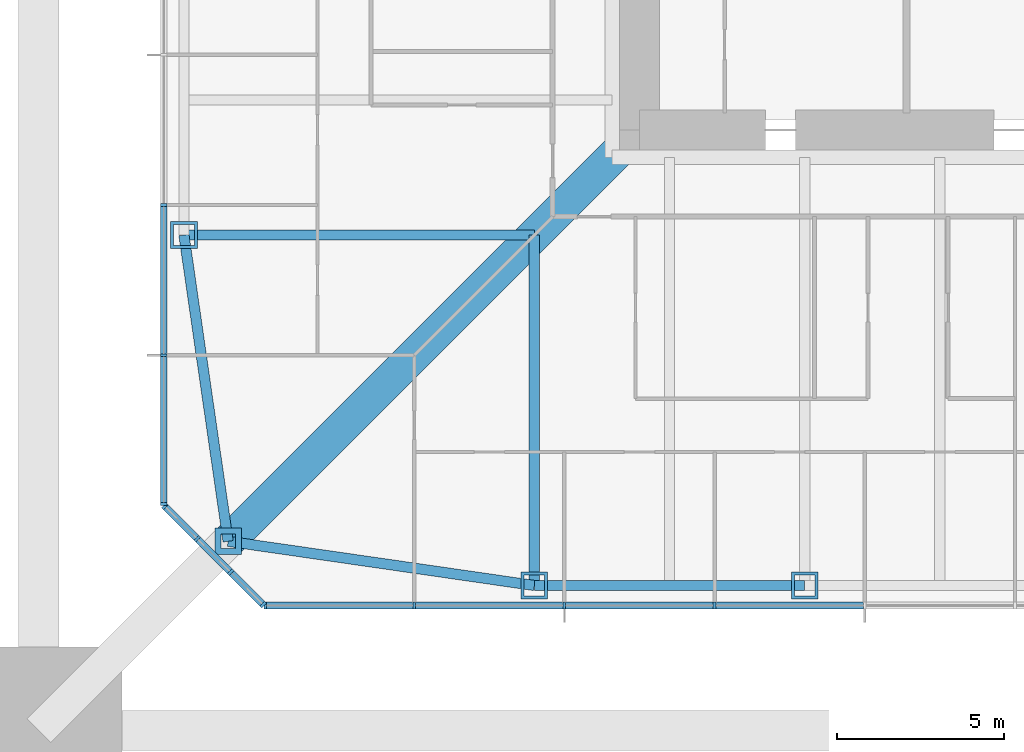
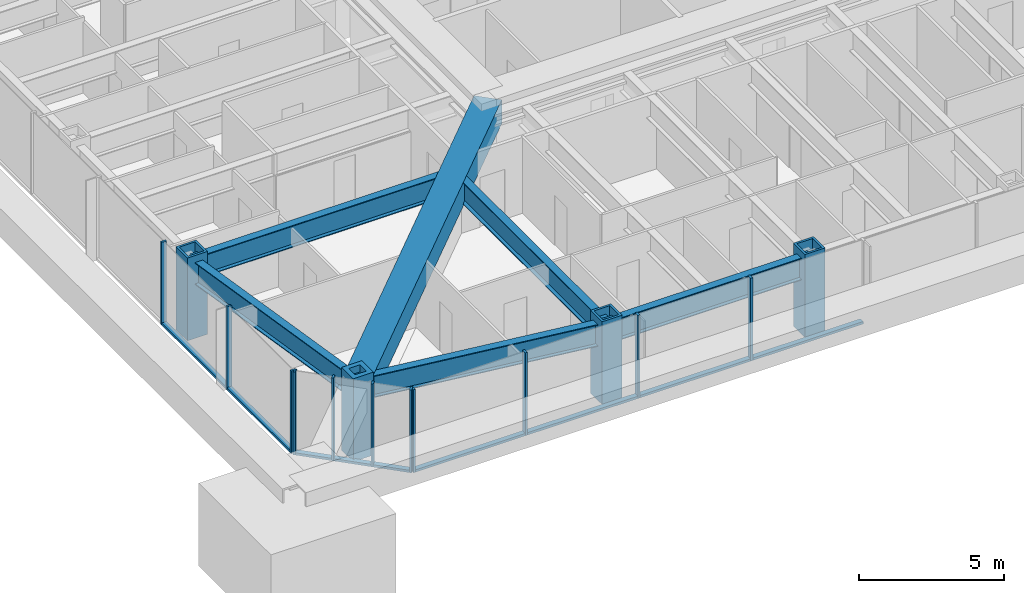
# One storey, part 2 of 32: 25 members, 5 beams, 3 elements without a shape of their own.
"""IFC4 building model written with IfcOpenShell, lengths in metres."""

from ifc_helpers import new_model, si_unit, direction, frame, origin, origin_2d, place, context, subcontext, project, spatial, rectangle, hollow_rectangle, i_section, extrude, material, material_profile, profile_set, type_object, element, aggregate, save


model = new_model("IFC4")

# Units and contexts
model_context = context("Model", 3, precision=1e-05, world=origin(), true_north=direction((0.0, 1.0)))
body_context = subcontext(model_context, "Body", "Model", "MODEL_VIEW")
ifc_project = project(units=[si_unit("LENGTHUNIT", "METRE"), si_unit("AREAUNIT", "SQUARE_METRE"), si_unit("VOLUMEUNIT", "CUBIC_METRE"), si_unit("PLANEANGLEUNIT", "RADIAN"), si_unit("MASSUNIT", "GRAM", prefix="KILO")], contexts=[model_context])

# Site, building, storey
site_placement = place(None, origin())
site = spatial("IfcSite", under=ifc_project, at=site_placement, CompositionType="ELEMENT")
building_placement = place(site_placement, origin())
building = spatial("IfcBuilding", under=site, at=building_placement, Name="Iwan Alto Co-Living Towers", CompositionType="ELEMENT")
storey_placement = place(building_placement, frame((0.0, 0.0, 71.0)))
storey = spatial("IfcBuildingStorey", under=building, at=storey_placement, Name="L19", CompositionType="ELEMENT", Elevation=71.0)

# Curtain wall, members
ifc_material_1 = material(Name="Bronze aluminium unitised frame", Category="aluminium")
curtain_wall_type_1 = type_object("IfcCurtainWallType", Name="CURTAIN WALL CW-A", PredefinedType="NOTDEFINED", material=ifc_material_1)
curtain_wall_1_placement = place(storey_placement, origin())
curtain_wall_1 = element("IfcCurtainWall", 1, at=curtain_wall_1_placement, inside=storey, type_object=curtain_wall_type_1, Name="T1 curtain wall S L19", PredefinedType="NOTDEFINED")
ifc_material_2 = material(Name="Aluminium 6063-T6 bronze anodised", Category="aluminium")
ifc_material_profile_1 = material_profile(ifc_material_2, rectangle(XDim=0.199951171875, YDim=0.080078125, at=origin_2d()), Name="AL 80X200")
ifc_profile_set_1 = profile_set([ifc_material_profile_1], Name="Aluminium 6063-T6 bronze anodised")
member_type_1 = type_object("IfcMemberType", Name="CW-A MULLION 80X200", PredefinedType="MULLION", material=ifc_profile_set_1)
member_1_placement = place(storey_placement, frame((-20.2099609375, -23.25, 0.0), z_axis=(0.0, 0.0, 1.0), x_axis=(0.0, 1.0, 0.0)))
member_1 = element("IfcMember", 2, at=member_1_placement, type_object=member_type_1, Name="CW-A mullion 1", PredefinedType="MULLION", context=body_context, shape_type="SweptSolid", body=[
    extrude(rectangle(XDim=0.199951171875, YDim=0.080078125, at=origin_2d()), origin(), (0.0, 0.0, 1.0), 3.5),
])
member_2_placement = place(storey_placement, frame((-15.75, -23.25, 0.0), z_axis=(0.0, 0.0, 1.0), x_axis=(0.0, 1.0, 0.0)))
member_2 = element("IfcMember", 3, at=member_2_placement, type_object=member_type_1, Name="CW-A mullion 2", PredefinedType="MULLION", context=body_context, shape_type="SweptSolid", body=[
    extrude(rectangle(XDim=0.199951171875, YDim=0.080078125, at=origin_2d()), origin(), (0.0, 0.0, 1.0), 3.5),
])
member_3_placement = place(storey_placement, frame((-11.25, -23.25, 0.0), z_axis=(0.0, 0.0, 1.0), x_axis=(0.0, 1.0, 0.0)))
member_3 = element("IfcMember", 4, at=member_3_placement, type_object=member_type_1, Name="CW-A mullion 3", PredefinedType="MULLION", context=body_context, shape_type="SweptSolid", body=[
    extrude(rectangle(XDim=0.199951171875, YDim=0.080078125, at=origin_2d()), origin(), (0.0, 0.0, 1.0), 3.5),
])
member_4_placement = place(storey_placement, frame((-6.75, -23.25, 0.0), z_axis=(0.0, 0.0, 1.0), x_axis=(0.0, 1.0, 0.0)))
member_4 = element("IfcMember", 5, at=member_4_placement, type_object=member_type_1, Name="CW-A mullion 4", PredefinedType="MULLION", context=body_context, shape_type="SweptSolid", body=[
    extrude(rectangle(XDim=0.199951171875, YDim=0.080078125, at=origin_2d()), origin(), (0.0, 0.0, 1.0), 3.5),
])

curtain_wall_2_placement = place(storey_placement, origin())
curtain_wall_2 = element("IfcCurtainWall", 6, at=curtain_wall_2_placement, inside=storey, type_object=curtain_wall_type_1, Name="T1 curtain wall W L19", PredefinedType="NOTDEFINED")
member_5_placement = place(storey_placement, frame((-23.25, -11.25, 0.0), z_axis=(0.0, 0.0, 1.0), x_axis=(1.0, 0.0, 0.0)))
member_5 = element("IfcMember", 7, at=member_5_placement, type_object=member_type_1, Name="CW-A mullion 8", PredefinedType="MULLION", context=body_context, shape_type="SweptSolid", body=[
    extrude(rectangle(XDim=0.199951171875, YDim=0.080078125, at=origin_2d()), origin(), (0.0, 0.0, 1.0), 3.5),
])
member_6_placement = place(storey_placement, frame((-23.25, -15.75, 0.0), z_axis=(0.0, 0.0, 1.0), x_axis=(1.0, 0.0, 0.0)))
member_6 = element("IfcMember", 8, at=member_6_placement, type_object=member_type_1, Name="CW-A mullion 9", PredefinedType="MULLION", context=body_context, shape_type="SweptSolid", body=[
    extrude(rectangle(XDim=0.199951171875, YDim=0.080078125, at=origin_2d()), origin(), (0.0, 0.0, 1.0), 3.5),
])
member_7_placement = place(storey_placement, frame((-23.25, -20.2099609375, 0.0), z_axis=(0.0, 0.0, 1.0), x_axis=(1.0, 0.0, 0.0)))
member_7 = element("IfcMember", 9, at=member_7_placement, type_object=member_type_1, Name="CW-A mullion 10", PredefinedType="MULLION", context=body_context, shape_type="SweptSolid", body=[
    extrude(rectangle(XDim=0.199951171875, YDim=0.080078125, at=origin_2d()), origin(), (0.0, 0.0, 1.0), 3.5),
])

# Member
ifc_material_3 = material(Name="Aluminium 6063-T6 bronze anodised", Category="aluminium")
ifc_material_profile_2 = material_profile(ifc_material_3, rectangle(XDim=0.199951171875, YDim=0.10009765625, at=origin_2d()), Name="AL 200X100")
ifc_profile_set_2 = profile_set([ifc_material_profile_2], Name="Aluminium 6063-T6 bronze anodised")
member_type_2 = type_object("IfcMemberType", Name="CW-A TRANSOM 200X100", PredefinedType="USERDEFINED", material=ifc_profile_set_2)
member_8_placement = place(storey_placement, frame((-20.169921875, -23.25, 0.050048828125), z_axis=(1.0, 0.0, 0.0), x_axis=(0.0, 1.0, 0.0)))
member_8 = element("IfcMember", 10, at=member_8_placement, type_object=member_type_2, Name="CW-A transom 1.1", ObjectType="TRANSOM", PredefinedType="USERDEFINED", context=body_context, shape_type="SweptSolid", body=[
    extrude(rectangle(XDim=0.199951171875, YDim=0.10009765625, at=origin_2d()), origin(), (0.0, 0.0, 1.0), 4.3798828125),
])

member_9_placement = place(storey_placement, frame((-15.7099609375, -23.25, 0.050048828125), z_axis=(1.0, 0.0, 0.0), x_axis=(0.0, 1.0, 0.0)))
member_9 = element("IfcMember", 11, at=member_9_placement, type_object=member_type_2, Name="CW-A transom 2.1", ObjectType="TRANSOM", PredefinedType="USERDEFINED", context=body_context, shape_type="SweptSolid", body=[
    extrude(rectangle(XDim=0.199951171875, YDim=0.10009765625, at=origin_2d()), origin(), (0.0, 0.0, 1.0), 4.419921875),
])

member_10_placement = place(storey_placement, frame((-11.2099609375, -23.25, 0.050048828125), z_axis=(1.0, 0.0, 0.0), x_axis=(0.0, 1.0, 0.0)))
member_10 = element("IfcMember", 12, at=member_10_placement, type_object=member_type_2, Name="CW-A transom 3.1", ObjectType="TRANSOM", PredefinedType="USERDEFINED", context=body_context, shape_type="SweptSolid", body=[
    extrude(rectangle(XDim=0.199951171875, YDim=0.10009765625, at=origin_2d()), origin(), (0.0, 0.0, 1.0), 4.419921875),
])

member_11_placement = place(storey_placement, frame((-6.7099609375, -23.25, 0.050048828125), z_axis=(1.0, 0.0, 0.0), x_axis=(0.0, 1.0, 0.0)))
member_11 = element("IfcMember", 13, at=member_11_placement, type_object=member_type_2, Name="CW-A transom 4.1", ObjectType="TRANSOM", PredefinedType="USERDEFINED", context=body_context, shape_type="SweptSolid", body=[
    extrude(rectangle(XDim=0.199951171875, YDim=0.10009765625, at=origin_2d()), origin(), (0.0, 0.0, 1.0), 4.419921875),
])

aggregate(curtain_wall_1, [member_1, member_2, member_3, member_4, member_8, member_9, member_10, member_11])

member_12_placement = place(storey_placement, frame((-23.25, -11.2900390625, 0.050048828125), z_axis=(0.0, -1.0, 0.0), x_axis=(1.0, 0.0, 0.0)))
member_12 = element("IfcMember", 14, at=member_12_placement, type_object=member_type_2, Name="CW-A transom 8.1", ObjectType="TRANSOM", PredefinedType="USERDEFINED", context=body_context, shape_type="SweptSolid", body=[
    extrude(rectangle(XDim=0.199951171875, YDim=0.10009765625, at=origin_2d()), origin(), (0.0, 0.0, 1.0), 4.419921875),
])

member_13_placement = place(storey_placement, frame((-23.25, -15.7900390625, 0.050048828125), z_axis=(0.0, -1.0, 0.0), x_axis=(1.0, 0.0, 0.0)))
member_13 = element("IfcMember", 15, at=member_13_placement, type_object=member_type_2, Name="CW-A transom 9.1", ObjectType="TRANSOM", PredefinedType="USERDEFINED", context=body_context, shape_type="SweptSolid", body=[
    extrude(rectangle(XDim=0.199951171875, YDim=0.10009765625, at=origin_2d()), origin(), (0.0, 0.0, 1.0), 4.3798828125),
])

aggregate(curtain_wall_2, [member_5, member_6, member_7, member_12, member_13])

# Curtain wall, members
ifc_material_4 = material(Name="Bronze aluminium unitised frame", Category="aluminium")
curtain_wall_type_2 = type_object("IfcCurtainWallType", Name="CURTAIN WALL CW-B", PredefinedType="NOTDEFINED", material=ifc_material_4)
curtain_wall_3_placement = place(storey_placement, origin())
curtain_wall_3 = element("IfcCurtainWall", 16, at=curtain_wall_3_placement, inside=storey, type_object=curtain_wall_type_2, Name="T1 chamfer curtain wall SW L19", PredefinedType="NOTDEFINED")
ifc_material_5 = material(Name="Aluminium 6063-T6 bronze anodised", Category="aluminium")
ifc_material_profile_3 = material_profile(ifc_material_5, rectangle(XDim=0.199951171875, YDim=0.080078125, at=origin_2d()), Name="AL 80X200")
ifc_profile_set_3 = profile_set([ifc_material_profile_3], Name="Aluminium 6063-T6 bronze anodised")
member_type_3 = type_object("IfcMemberType", Name="CW-B MULLION 80X200", PredefinedType="MULLION", material=ifc_profile_set_3)
member_14_placement = place(storey_placement, frame((-23.2216796875, -20.2783203125, 0.0), z_axis=(0.0, 0.0, 1.0), x_axis=(0.707106781187, 0.707106781187, 0.0)))
member_14 = element("IfcMember", 17, at=member_14_placement, type_object=member_type_3, Name="CW-B mullion 1", PredefinedType="MULLION", context=body_context, shape_type="SweptSolid", body=[
    extrude(rectangle(XDim=0.199951171875, YDim=0.080078125, at=origin_2d()), origin(), (0.0, 0.0, 1.0), 3.5),
])
member_15_placement = place(storey_placement, frame((-22.25, -21.25, 0.0), z_axis=(0.0, 0.0, 1.0), x_axis=(0.707106781187, 0.707106781187, 0.0)))
member_15 = element("IfcMember", 18, at=member_15_placement, type_object=member_type_3, Name="CW-B mullion 2", PredefinedType="MULLION", context=body_context, shape_type="SweptSolid", body=[
    extrude(rectangle(XDim=0.199951171875, YDim=0.080078125, at=origin_2d()), origin(), (0.0, 0.0, 1.0), 3.5),
])
member_16_placement = place(storey_placement, frame((-21.25, -22.25, 0.0), z_axis=(0.0, 0.0, 1.0), x_axis=(0.707106781187, 0.707106781187, 0.0)))
member_16 = element("IfcMember", 19, at=member_16_placement, type_object=member_type_3, Name="CW-B mullion 3", PredefinedType="MULLION", context=body_context, shape_type="SweptSolid", body=[
    extrude(rectangle(XDim=0.199951171875, YDim=0.080078125, at=origin_2d()), origin(), (0.0, 0.0, 1.0), 3.5),
])
member_17_placement = place(storey_placement, frame((-20.2783203125, -23.2216796875, 0.0), z_axis=(0.0, 0.0, 1.0), x_axis=(0.707106781187, 0.707106781187, 0.0)))
member_17 = element("IfcMember", 20, at=member_17_placement, type_object=member_type_3, Name="CW-B mullion 4", PredefinedType="MULLION", context=body_context, shape_type="SweptSolid", body=[
    extrude(rectangle(XDim=0.199951171875, YDim=0.080078125, at=origin_2d()), origin(), (0.0, 0.0, 1.0), 3.5),
])
ifc_material_6 = material(Name="Aluminium 6063-T6 bronze anodised", Category="aluminium")
ifc_material_profile_4 = material_profile(ifc_material_6, rectangle(XDim=0.199951171875, YDim=0.10009765625, at=origin_2d()), Name="AL 200X100")
ifc_profile_set_4 = profile_set([ifc_material_profile_4], Name="Aluminium 6063-T6 bronze anodised")
member_type_4 = type_object("IfcMemberType", Name="CW-B TRANSOM 200X100", PredefinedType="USERDEFINED", material=ifc_profile_set_4)
member_18_placement = place(storey_placement, frame((-23.193359375, -20.306640625, 0.050048828125), z_axis=(0.707106781187, -0.707106781187, 0.0), x_axis=(0.707106781187, 0.707106781187, 0.0)))
member_18 = element("IfcMember", 21, at=member_18_placement, type_object=member_type_4, Name="CW-B transom 1.1", ObjectType="TRANSOM", PredefinedType="USERDEFINED", context=body_context, shape_type="SweptSolid", body=[
    extrude(rectangle(XDim=0.199951171875, YDim=0.10009765625, at=origin_2d()), origin(), (0.0, 0.0, 1.0), 1.2939453125),
])
member_19_placement = place(storey_placement, frame((-22.2216796875, -21.2783203125, 0.050048828125), z_axis=(0.707106781187, -0.707106781187, 0.0), x_axis=(0.707106781187, 0.707106781187, 0.0)))
member_19 = element("IfcMember", 22, at=member_19_placement, type_object=member_type_4, Name="CW-B transom 2.1", ObjectType="TRANSOM", PredefinedType="USERDEFINED", context=body_context, shape_type="SweptSolid", body=[
    extrude(rectangle(XDim=0.199951171875, YDim=0.10009765625, at=origin_2d()), origin(), (0.0, 0.0, 1.0), 1.334228515625),
])
member_20_placement = place(storey_placement, frame((-21.2216796875, -22.2783203125, 0.050048828125), z_axis=(0.707106781187, -0.707106781187, 0.0), x_axis=(0.707106781187, 0.707106781187, 0.0)))
member_20 = element("IfcMember", 23, at=member_20_placement, type_object=member_type_4, Name="CW-B transom 3.1", ObjectType="TRANSOM", PredefinedType="USERDEFINED", context=body_context, shape_type="SweptSolid", body=[
    extrude(rectangle(XDim=0.199951171875, YDim=0.10009765625, at=origin_2d()), origin(), (0.0, 0.0, 1.0), 1.2939453125),
])
aggregate(curtain_wall_3, [member_14, member_15, member_16, member_17, member_18, member_19, member_20])

# Beams
ifc_material_7 = material(Name="Steel ASTM A992 Gr 50", Category="steel")
ifc_material_profile_5 = material_profile(ifc_material_7, i_section(OverallWidth=0.307373046875, OverallDepth=0.927001953125, WebThickness=0.01953125, FlangeThickness=0.031982421875, at=origin_2d()), Name="W36X194")
ifc_profile_set_5 = profile_set([ifc_material_profile_5], Name="Steel ASTM A992 Gr 50")
beam_type_1 = type_object("IfcBeamType", Name="T1 BELT TRUSS CHORD W36X194", PredefinedType="BEAM", material=ifc_profile_set_5)
beam_1_placement = place(storey_placement, frame((-21.32568359375, -21.32568359375, 2.736328125), z_axis=(0.989746234347, -0.142836940589, 0.0), x_axis=(0.142836940589, 0.989746234347, 0.0)))
element("IfcBeam", 24, at=beam_1_placement, inside=storey, type_object=beam_type_1, Name="T1 edge beam CSW L20", PredefinedType="BEAM", context=body_context, shape_type="SweptSolid", body=[
    extrude(i_section(OverallWidth=0.307373046875, OverallDepth=0.927001953125, WebThickness=0.01953125, FlangeThickness=0.031982421875, at=origin_2d()), origin(), (0.0, 0.0, 1.0), 9.270751953125),
])
beam_2_placement = place(storey_placement, frame((-12.14990234375, -22.64990234375, 2.736328125), z_axis=(1.0, 0.0, 0.0), x_axis=(0.0, 1.0, 0.0)))
element("IfcBeam", 25, at=beam_2_placement, inside=storey, type_object=beam_type_1, Name="T1 edge beam S1 L20", PredefinedType="BEAM", context=body_context, shape_type="SweptSolid", body=[
    extrude(i_section(OverallWidth=0.307373046875, OverallDepth=0.927001953125, WebThickness=0.01953125, FlangeThickness=0.031982421875, at=origin_2d()), origin(), (0.0, 0.0, 1.0), 8.099853515625),
])
beam_3_placement = place(storey_placement, frame((-22.64990234375, -12.14990234375, 2.736328125), z_axis=(0.142836940589, -0.989746234347, 0.0), x_axis=(0.989746234347, 0.142836940589, 0.0)))
element("IfcBeam", 26, at=beam_3_placement, inside=storey, type_object=beam_type_1, Name="T1 edge beam W4 L20", PredefinedType="BEAM", context=body_context, shape_type="SweptSolid", body=[
    extrude(i_section(OverallWidth=0.307373046875, OverallDepth=0.927001953125, WebThickness=0.01953125, FlangeThickness=0.031982421875, at=origin_2d()), origin(), (0.0, 0.0, 1.0), 9.270751953125),
])

# Members
ifc_material_8 = material(Name="Steel ASTM A36", Category="steel")
ifc_material_profile_6 = material_profile(ifc_material_8, hollow_rectangle(XDim=0.800048828125, YDim=0.800048828125, WallThickness=0.179931640625, at=origin_2d()), Name="BOX 800X800X180")
ifc_profile_set_6 = profile_set([ifc_material_profile_6], Name="Steel ASTM A36")
member_type_5 = type_object("IfcMemberType", Name="T1 HEAVY RING POST AT STEP BOX 800X800X180", PredefinedType="MEMBER", material=ifc_profile_set_6)
member_21_placement = place(storey_placement, frame((-21.32568359375, -21.32568359375, 0.0), z_axis=(0.0, 0.0, 1.0), x_axis=(1.0, 0.0, 0.0)))
element("IfcMember", 27, at=member_21_placement, inside=storey, type_object=member_type_5, Name="T1 ring post at step CSW L19", PredefinedType="MEMBER", context=body_context, shape_type="SweptSolid", body=[
    extrude(hollow_rectangle(XDim=0.800048828125, YDim=0.800048828125, WallThickness=0.179931640625, at=origin_2d()), origin(), (0.0, 0.0, 1.0), 3.5),
])
ifc_material_9 = material(Name="Steel ASTM A572 Gr 50", Category="steel")
ifc_material_profile_7 = material_profile(ifc_material_9, hollow_rectangle(XDim=1.0, YDim=1.0, WallThickness=0.070068359375, at=origin_2d()), Name="BOX 1000X1000X70")
ifc_profile_set_7 = profile_set([ifc_material_profile_7], Name="Steel ASTM A572 Gr 50")
member_type_6 = type_object("IfcMemberType", Name="T1 OUTRIGGER CHORD BOX 1000X1000X70", PredefinedType="CHORD", material=ifc_profile_set_7)
member_22_placement = place(storey_placement, frame((-9.0, -9.0, 2.699951171875), z_axis=(-0.707106781187, -0.707106781187, 0.0), x_axis=(0.707106781187, -0.707106781187, 0.0)))
element("IfcMember", 28, at=member_22_placement, inside=storey, type_object=member_type_6, Name="T1 outrigger SW L20 bottom chord 1", PredefinedType="CHORD", context=body_context, shape_type="SweptSolid", body=[
    extrude(hollow_rectangle(XDim=1.0, YDim=1.0, WallThickness=0.070068359375, at=origin_2d()), origin(), (0.0, 0.0, 1.0), 17.43115234375),
])

# Beams
ifc_material_10 = material(Name="Steel ASTM A992 Gr 50", Category="steel")
ifc_material_profile_8 = material_profile(ifc_material_10, i_section(OverallWidth=0.307373046875, OverallDepth=0.927001953125, WebThickness=0.01953125, FlangeThickness=0.031982421875, at=origin_2d()), Name="W36X194")
ifc_profile_set_8 = profile_set([ifc_material_profile_8], Name="Steel ASTM A992 Gr 50")
beam_type_2 = type_object("IfcBeamType", Name="T1 RADIAL BEAM W36X194", PredefinedType="BEAM", material=ifc_profile_set_8)
for number, where, z_axis, x_axis, name in (
    (29, (-12.14990234375, -22.64990234375, 2.736328125), (0.0, 1.0, 0.0), (-1.0, 0.0, 0.0), "T1 radial beam S1 L20"),
    (30, (-22.64990234375, -12.14990234375, 2.736328125), (1.0, 0.0, 0.0), (0.0, 1.0, 0.0), "T1 radial beam W4 L20"),
):
    element("IfcBeam", number, at=place(storey_placement, frame(where, z_axis=z_axis, x_axis=x_axis)), inside=storey, type_object=beam_type_2, Name=name, PredefinedType="BEAM", context=body_context, shape_type="SweptSolid", body=[
        extrude(i_section(OverallWidth=0.307373046875, OverallDepth=0.927001953125, WebThickness=0.01953125, FlangeThickness=0.031982421875, at=origin_2d()), origin(), (0.0, 0.0, 1.0), 10.5),
    ])

# Members
ifc_material_11 = material(Name="Steel ASTM A572 Gr 50", Category="steel")
ifc_material_profile_9 = material_profile(ifc_material_11, hollow_rectangle(XDim=0.800048828125, YDim=0.800048828125, WallThickness=0.090087890625, at=origin_2d()), Name="BOX 800X800X90")
ifc_profile_set_9 = profile_set([ifc_material_profile_9], Name="Steel ASTM A572 Gr 50")
member_type_7 = type_object("IfcMemberType", Name="T1 RING POST AT STEP BOX 800X800X90", PredefinedType="MEMBER", material=ifc_profile_set_9)
for number, where, z_axis, x_axis, name in (
    (31, (-12.14990234375, -22.64990234375, 0.0), (0.0, 0.0, 1.0), (1.0, 0.0, 0.0), "T1 ring post at step S1 L19"),
    (32, (-4.050048828125, -22.64990234375, 0.0), (0.0, 0.0, 1.0), (1.0, 0.0, 0.0), "T1 ring post at step S2 L19"),
    (33, (-22.64990234375, -12.14990234375, 0.0), (0.0, 0.0, 1.0), (1.0, 0.0, 0.0), "T1 ring post at step W4 L19"),
):
    element("IfcMember", number, at=place(storey_placement, frame(where, z_axis=z_axis, x_axis=x_axis)), inside=storey, type_object=member_type_7, Name=name, PredefinedType="MEMBER", context=body_context, shape_type="SweptSolid", body=[
        extrude(hollow_rectangle(XDim=0.800048828125, YDim=0.800048828125, WallThickness=0.090087890625, at=origin_2d()), origin(), (0.0, 0.0, 1.0), 3.5),
    ])

save(model, "model.ifc")
